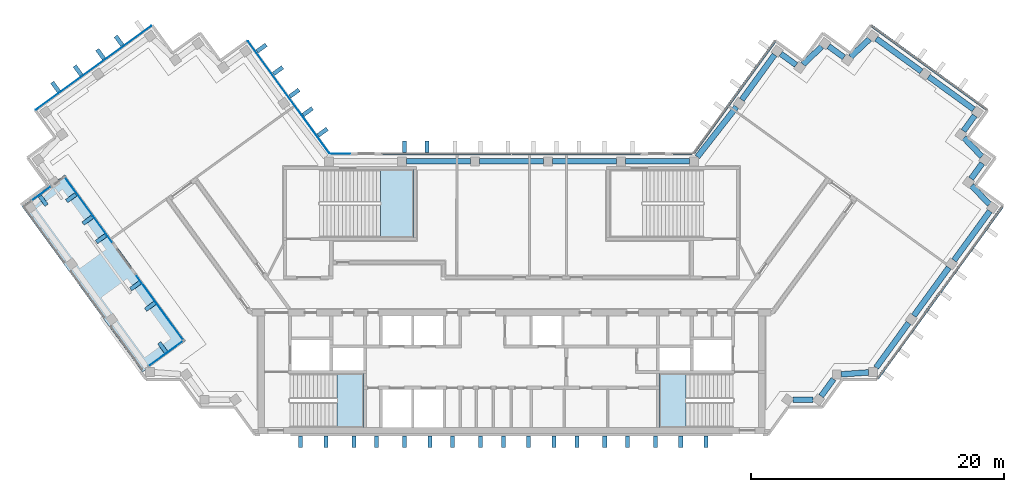
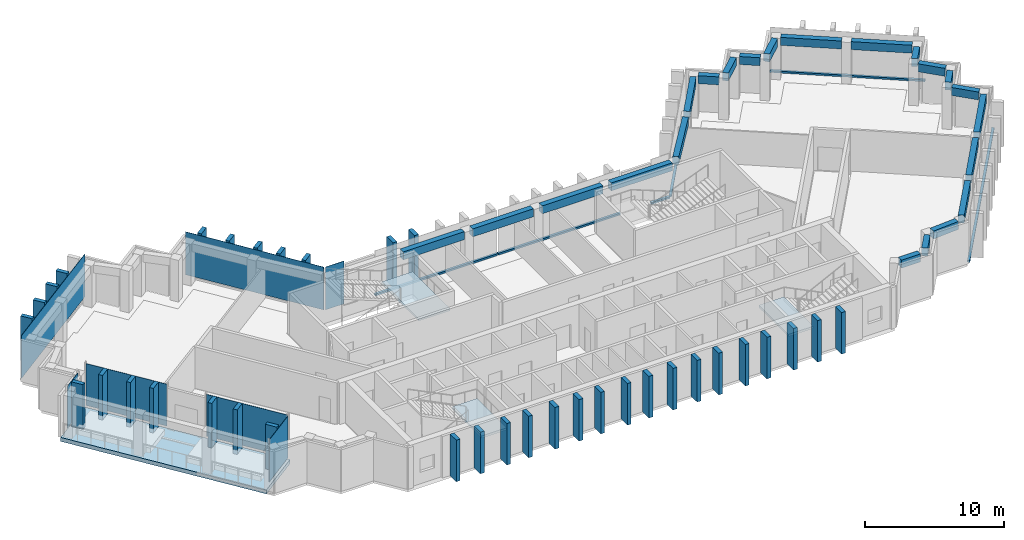
"""IFC4 building model written with IfcOpenShell, lengths in metres."""

from ifc_helpers import new_model, si_unit, direction, frame, origin, origin_2d, place, context, subcontext, project, spatial, polyline, rectangle, outline, extrude, material, layer, layer_set, material_profile, profile_set, type_object, element, aggregate, save


model = new_model("IFC4")

# Units and contexts
model_context = context("Model", 3, precision=1e-05, world=origin(), true_north=direction((0.0, 1.0)))
body_context = subcontext(model_context, "Body", "Model", "MODEL_VIEW")
ifc_project = project(units=[si_unit("LENGTHUNIT", "METRE"), si_unit("AREAUNIT", "SQUARE_METRE"), si_unit("VOLUMEUNIT", "CUBIC_METRE"), si_unit("PLANEANGLEUNIT", "RADIAN"), si_unit("MASSUNIT", "GRAM", prefix="KILO")], contexts=[model_context])

# Site, building, storey
site_placement = place(None, origin())
site = spatial("IfcSite", under=ifc_project, at=site_placement, CompositionType="ELEMENT")
building_placement = place(site_placement, origin())
building = spatial("IfcBuilding", under=site, at=building_placement, Name="Quipu Civic Tower", CompositionType="ELEMENT")
storey_1_placement = place(building_placement, frame((0.0, 0.0, 261.0)))
storey_1 = spatial("IfcBuildingStorey", under=building, at=storey_1_placement, Name="L61", CompositionType="ELEMENT", Elevation=261.0)

# Beams
ifc_material_1 = material(Name="Concrete C50/60", Category="concrete")
ifc_material_profile_1 = material_profile(ifc_material_1, rectangle(XDim=0.449951171875, YDim=0.699951171875, at=origin_2d()), Name="RC450x700")
ifc_profile_set_1 = profile_set([ifc_material_profile_1], Name="Concrete C50/60")
beam_type = type_object("IfcBeamType", Name="Spandrel beam RC 450x700 C50/60", PredefinedType="SPANDREL", material=ifc_profile_set_1)
beam_1_placement = place(storey_1_placement, frame((22.224365234375, -8.31494140625, 3.300048828125), z_axis=(1.0, 0.0, 0.0), x_axis=(0.0, 1.0, 0.0)))
element("IfcBeam", 1, at=beam_1_placement, inside=storey_1, type_object=beam_type, Name="Spandrel beam L61 J-Eo.1 to J-Eo.2", PredefinedType="SPANDREL", context=body_context, shape_type="SweptSolid", body=[
    extrude(rectangle(XDim=0.449951171875, YDim=0.699951171875, at=origin_2d()), origin(), (0.0, 0.0, 1.0), 1.578125),
])
beam_2_placement = place(storey_1_placement, frame((24.44091796875, -8.031982421875, 3.300048828125), z_axis=(0.588407300614, 0.80856468423, 0.0), x_axis=(-0.80856468423, 0.588407300614, 0.0)))
element("IfcBeam", 2, at=beam_2_placement, inside=storey_1, type_object=beam_type, Name="Spandrel beam L61 J-Eo.2 to J-Eo.3", PredefinedType="SPANDREL", context=body_context, shape_type="SweptSolid", body=[
    extrude(rectangle(XDim=0.449951171875, YDim=0.699951171875, at=origin_2d()), origin(), (0.0, 0.0, 1.0), 1.663330078125),
])
beam_3_placement = place(storey_1_placement, frame((26.0244140625, -6.3115234375, 3.300048828125), z_axis=(0.997379352029, 0.072349347934, 0.0), x_axis=(-0.072349347934, 0.997379352029, 0.0)))
element("IfcBeam", 3, at=beam_3_placement, inside=storey_1, type_object=beam_type, Name="Spandrel beam L61 J-Eo.3 to J-Eo.4", PredefinedType="SPANDREL", context=body_context, shape_type="SweptSolid", body=[
    extrude(rectangle(XDim=0.449951171875, YDim=0.699951171875, at=origin_2d()), origin(), (0.0, 0.0, 1.0), 2.15625),
])
beam_4_placement = place(storey_1_placement, frame((28.779296875, -5.780029296875, 3.300048828125), z_axis=(0.58777550284, 0.809024077677, 0.0), x_axis=(-0.809024077677, 0.58777550284, 0.0)))
element("IfcBeam", 4, at=beam_4_placement, inside=storey_1, type_object=beam_type, Name="Spandrel beam L61 J-Eo.4 to E-OUT-01", PredefinedType="SPANDREL", context=body_context, shape_type="SweptSolid", body=[
    extrude(rectangle(XDim=0.449951171875, YDim=0.699951171875, at=origin_2d()), origin(), (0.0, 0.0, 1.0), 4.36083984375),
])
beam_5_placement = place(storey_1_placement, frame((31.75390625, -1.685546875, 3.300048828125), z_axis=(0.587788656305, 0.809014521204, 0.0), x_axis=(-0.809014521204, 0.587788656305, 0.0)))
element("IfcBeam", 5, at=beam_5_placement, inside=storey_1, type_object=beam_type, Name="Spandrel beam L61 E-OUT-01 to E-OUT-02", PredefinedType="SPANDREL", context=body_context, shape_type="SweptSolid", body=[
    extrude(rectangle(XDim=0.449951171875, YDim=0.699951171875, at=origin_2d()), origin(), (0.0, 0.0, 1.0), 4.7001953125),
])
beam_6_placement = place(storey_1_placement, frame((34.927978515625, 2.68310546875, 3.300048828125), z_axis=(0.587905928359, 0.808929304328, 0.0), x_axis=(-0.808929304328, 0.587905928359, 0.0)))
element("IfcBeam", 6, at=beam_6_placement, inside=storey_1, type_object=beam_type, Name="Spandrel beam L61 E-OUT-02 to T-Eo.0-E22", PredefinedType="SPANDREL", context=body_context, shape_type="SweptSolid", body=[
    extrude(rectangle(XDim=0.449951171875, YDim=0.699951171875, at=origin_2d()), origin(), (0.0, 0.0, 1.0), 4.80712890625),
])
beam_7_placement = place(storey_1_placement, frame((37.71484375, 7.11279296875, 3.300048828125), z_axis=(-0.689175330605, 0.724594620244, 0.0), x_axis=(-0.724594620244, -0.689175330605, 0.0)))
element("IfcBeam", 7, at=beam_7_placement, inside=storey_1, type_object=beam_type, Name="Spandrel beam L61 T-Eo.0-E22 to T-Eo.1-E22", PredefinedType="SPANDREL", context=body_context, shape_type="SweptSolid", body=[
    extrude(rectangle(XDim=0.449951171875, YDim=0.699951171875, at=origin_2d()), origin(), (0.0, 0.0, 1.0), 2.033447265625),
])
beam_8_placement = place(storey_1_placement, frame((36.273681640625, 9.12744140625, 3.300048828125), z_axis=(0.587164895097, 0.809467347066, 0.0), x_axis=(-0.809467347066, 0.587164895097, 0.0)))
element("IfcBeam", 8, at=beam_8_placement, inside=storey_1, type_object=beam_type, Name="Spandrel beam L61 T-Eo.1-E22 to T-Eo.2-E22", PredefinedType="SPANDREL", context=body_context, shape_type="SweptSolid", body=[
    extrude(rectangle(XDim=0.449951171875, YDim=0.699951171875, at=origin_2d()), origin(), (0.0, 0.0, 1.0), 1.500244140625),
])
beam_9_placement = place(storey_1_placement, frame((37.114990234375, 10.88330078125, 3.300048828125), z_axis=(-0.688247466856, 0.725475998477, 0.0), x_axis=(-0.725475998477, -0.688247466856, 0.0)))
element("IfcBeam", 9, at=beam_9_placement, inside=storey_1, type_object=beam_type, Name="Spandrel beam L61 T-Eo.2-E22 to T-Eo.3-E22", PredefinedType="SPANDREL", context=body_context, shape_type="SweptSolid", body=[
    extrude(rectangle(XDim=0.449951171875, YDim=0.699951171875, at=origin_2d()), origin(), (0.0, 0.0, 1.0), 2.032958984375),
])
beam_10_placement = place(storey_1_placement, frame((35.6767578125, 12.8994140625, 3.300048828125), z_axis=(0.588345920092, 0.808609348394, 0.0), x_axis=(-0.808609348394, 0.588345920092, 0.0)))
element("IfcBeam", 10, at=beam_10_placement, inside=storey_1, type_object=beam_type, Name="Spandrel beam L61 T-Eo.3-E22 to T-Eo.4-E22", PredefinedType="SPANDREL", context=body_context, shape_type="SweptSolid", body=[
    extrude(rectangle(XDim=0.449951171875, YDim=0.699951171875, at=origin_2d()), origin(), (0.0, 0.0, 1.0), 1.499755859375),
])
beam_11_placement = place(storey_1_placement, frame((36.481689453125, 14.6005859375, 3.300048828125), z_axis=(-0.809117270763, 0.587647208921, 0.0), x_axis=(-0.587647208921, -0.809117270763, 0.0)))
element("IfcBeam", 11, at=beam_11_placement, inside=storey_1, type_object=beam_type, Name="Spandrel beam L61 T-Eo.4-E22 to TIP-E-01-E22", PredefinedType="SPANDREL", context=body_context, shape_type="SweptSolid", body=[
    extrude(rectangle(XDim=0.449951171875, YDim=0.699951171875, at=origin_2d()), origin(), (0.0, 0.0, 1.0), 4.40185546875),
])
beam_12_placement = place(storey_1_placement, frame((32.353759765625, 17.5986328125, 3.300048828125), z_axis=(-0.809146152767, 0.587607439931, 0.0), x_axis=(-0.587607439931, -0.809146152767, 0.0)))
element("IfcBeam", 12, at=beam_12_placement, inside=storey_1, type_object=beam_type, Name="Spandrel beam L61 TIP-E-01-E22 to T-Ei.0-E22", PredefinedType="SPANDREL", context=body_context, shape_type="SweptSolid", body=[
    extrude(rectangle(XDim=0.449951171875, YDim=0.699951171875, at=origin_2d()), origin(), (0.0, 0.0, 1.0), 4.400390625),
])
beam_13_placement = place(storey_1_placement, frame((28.251708984375, 20.14501953125, 3.300048828125), z_axis=(-0.725359138958, -0.688370626574, 0.0), x_axis=(0.688370626574, -0.725359138958, 0.0)))
element("IfcBeam", 13, at=beam_13_placement, inside=storey_1, type_object=beam_type, Name="Spandrel beam L61 T-Ei.0-E22 to T-Ei.1-E22", PredefinedType="SPANDREL", context=body_context, shape_type="SweptSolid", body=[
    extrude(rectangle(XDim=0.449951171875, YDim=0.699951171875, at=origin_2d()), origin(), (0.0, 0.0, 1.0), 2.032958984375),
])
beam_14_placement = place(storey_1_placement, frame((26.236083984375, 18.70654296875, 3.300048828125), z_axis=(-0.808644589435, 0.588297482553, 0.0), x_axis=(-0.588297482553, -0.808644589435, 0.0)))
element("IfcBeam", 14, at=beam_14_placement, inside=storey_1, type_object=beam_type, Name="Spandrel beam L61 T-Ei.1-E22 to T-Ei.2-E22", PredefinedType="SPANDREL", context=body_context, shape_type="SweptSolid", body=[
    extrude(rectangle(XDim=0.449951171875, YDim=0.699951171875, at=origin_2d()), origin(), (0.0, 0.0, 1.0), 1.500244140625),
])
beam_15_placement = place(storey_1_placement, frame((24.48193359375, 19.5498046875, 3.300048828125), z_axis=(-0.72511931772, -0.6886232461, 0.0), x_axis=(0.6886232461, -0.72511931772, 0.0)))
element("IfcBeam", 15, at=beam_15_placement, inside=storey_1, type_object=beam_type, Name="Spandrel beam L61 T-Ei.2-E22 to T-Ei.3-E22", PredefinedType="SPANDREL", context=body_context, shape_type="SweptSolid", body=[
    extrude(rectangle(XDim=0.449951171875, YDim=0.699951171875, at=origin_2d()), origin(), (0.0, 0.0, 1.0), 2.03369140625),
])
beam_16_placement = place(storey_1_placement, frame((22.466064453125, 18.10986328125, 3.300048828125), z_axis=(-0.809461336076, 0.587173181776, 0.0), x_axis=(-0.587173181776, -0.809461336076, 0.0)))
element("IfcBeam", 16, at=beam_16_placement, inside=storey_1, type_object=beam_type, Name="Spandrel beam L61 T-Ei.3-E22 to T-Ei.4-E22", PredefinedType="SPANDREL", context=body_context, shape_type="SweptSolid", body=[
    extrude(rectangle(XDim=0.449951171875, YDim=0.699951171875, at=origin_2d()), origin(), (0.0, 0.0, 1.0), 1.498046875),
])
beam_17_placement = place(storey_1_placement, frame((20.76416015625, 18.911865234375, 3.300048828125), z_axis=(-0.588201428764, -0.808714460857, 0.0), x_axis=(0.808714460857, -0.588201428764, 0.0)))
element("IfcBeam", 17, at=beam_17_placement, inside=storey_1, type_object=beam_type, Name="Spandrel beam L61 T-Ei.4-E22 to E-IN-01", PredefinedType="SPANDREL", context=body_context, shape_type="SweptSolid", body=[
    extrude(rectangle(XDim=0.449951171875, YDim=0.699951171875, at=origin_2d()), origin(), (0.0, 0.0, 1.0), 4.394287109375),
])
beam_18_placement = place(storey_1_placement, frame((17.7578125, 14.799072265625, 3.300048828125), z_axis=(-0.616106034519, -0.787663223865, 0.0), x_axis=(0.787663223865, -0.616106034519, 0.0)))
element("IfcBeam", 18, at=beam_18_placement, inside=storey_1, type_object=beam_type, Name="Spandrel beam L61 E-IN-01 to J-Ei.0", PredefinedType="SPANDREL", context=body_context, shape_type="SweptSolid", body=[
    extrude(rectangle(XDim=0.449951171875, YDim=0.699951171875, at=origin_2d()), origin(), (0.0, 0.0, 1.0), 5.013427734375),
])
for number, where, z_axis, x_axis, name in (
    (19, (14.045166015625, 10.5, 3.300048828125), (-1.0, 0.0, 0.0), (0.0, -1.0, 0.0), "Spandrel beam L61 J-Ei.0 to FRONT-01"),
    (20, (8.287109375, 10.5, 3.300048828125), (-1.0, 0.0, 0.0), (0.0, -1.0, 0.0), "Spandrel beam L61 FRONT-01 to FRONT-02"),
    (21, (2.529052734375, 10.5, 3.300048828125), (-1.0, 0.0, 0.0), (0.0, -1.0, 0.0), "Spandrel beam L61 FRONT-02 to FRONT-03"),
    (22, (-3.22900390625, 10.5, 3.300048828125), (-1.0, 0.0, 0.0), (0.0, -1.0, 0.0), "Spandrel beam L61 FRONT-03 to FRONT-04"),
):
    element("IfcBeam", number, at=place(storey_1_placement, frame(where, z_axis=z_axis, x_axis=x_axis)), inside=storey_1, type_object=beam_type, Name=name, PredefinedType="SPANDREL", context=body_context, shape_type="SweptSolid", body=[
        extrude(rectangle(XDim=0.449951171875, YDim=0.699951171875, at=origin_2d()), origin(), (0.0, 0.0, 1.0), 5.05810546875),
    ])

# Storey
storey_2_placement = place(building_placement, frame((0.0, 0.0, 257.0)))
storey_2 = spatial("IfcBuildingStorey", under=building, at=storey_2_placement, Name="L60", CompositionType="ELEMENT", Elevation=257.0)

# Curtain wall, members
ifc_material_2 = material(Name="Insulated glass unit", Category="glass")
curtain_wall_type = type_object("IfcCurtainWallType", Name="Office curtain wall CW1", PredefinedType="NOTDEFINED", material=ifc_material_2)
curtain_wall_1_placement = place(storey_2_placement, origin())
curtain_wall_1 = element("IfcCurtainWall", 23, at=curtain_wall_1_placement, inside=storey_2, type_object=curtain_wall_type, Name="Office curtain wall CW1 L59 run 13", PredefinedType="NOTDEFINED")
ifc_material_3 = material(Name="Anodised aluminium", Category="aluminium")
ifc_material_profile_2 = material_profile(ifc_material_3, rectangle(XDim=0.199951171875, YDim=0.159912109375, at=origin_2d()), Name="RECT 200x160")
ifc_profile_set_2 = profile_set([ifc_material_profile_2], Name="Anodised aluminium")
member_type = type_object("IfcMemberType", Name="Transom CW1", PredefinedType="USERDEFINED", material=ifc_profile_set_2)
member_1_placement = place(storey_1_placement, frame((28.876708984375, -6.66650390625, 0.080078125), z_axis=(0.587812107925, 0.808997481935, 0.0), x_axis=(-0.808997481935, 0.587812107925, 0.0)))
member_1 = element("IfcMember", 24, at=member_1_placement, inside=storey_1, type_object=member_type, Name="CW1 transom 1.3", ObjectType="TRANSOM", PredefinedType="USERDEFINED", context=body_context, shape_type="SweptSolid", body=[
    extrude(rectangle(XDim=0.199951171875, YDim=0.159912109375, at=origin_2d()), origin(), (0.0, 0.0, 1.0), 8.35791015625),
])
member_2_placement = place(storey_1_placement, frame((33.83642578125, 0.15966796875, 0.080078125), z_axis=(0.587779098815, 0.809021465102, 0.0), x_axis=(-0.809021465102, 0.587779098815, 0.0)))
member_2 = element("IfcMember", 25, at=member_2_placement, inside=storey_1, type_object=member_type, Name="CW1 transom 2.3", ObjectType="TRANSOM", PredefinedType="USERDEFINED", context=body_context, shape_type="SweptSolid", body=[
    extrude(rectangle(XDim=0.199951171875, YDim=0.159912109375, at=origin_2d()), origin(), (0.0, 0.0, 1.0), 8.35791015625),
])
aggregate(curtain_wall_1, [member_1, member_2])

# Curtain wall, member
curtain_wall_2_placement = place(storey_2_placement, origin())
curtain_wall_2 = element("IfcCurtainWall", 26, at=curtain_wall_2_placement, inside=storey_2, type_object=curtain_wall_type, Name="Office curtain wall CW1 L59 run 18", PredefinedType="NOTDEFINED")
member_3_placement = place(storey_1_placement, frame((37.536865234375, 14.575927734375, 0.080078125), z_axis=(-0.809022463805, 0.587777724194, 0.0), x_axis=(-0.587777724194, -0.809022463805, 0.0)))
member_3 = element("IfcMember", 27, at=member_3_placement, inside=storey_1, type_object=member_type, Name="CW1 transom 1.3", ObjectType="TRANSOM", PredefinedType="USERDEFINED", context=body_context, shape_type="SweptSolid", body=[
    extrude(rectangle(XDim=0.199951171875, YDim=0.159912109375, at=origin_2d()), origin(), (0.0, 0.0, 1.0), 11.240234375),
])
aggregate(curtain_wall_2, [member_3])

curtain_wall_3_placement = place(storey_2_placement, origin())
curtain_wall_3 = element("IfcCurtainWall", 28, at=curtain_wall_3_placement, inside=storey_2, type_object=curtain_wall_type, Name="Office curtain wall CW1 L59 run 23", PredefinedType="NOTDEFINED")
member_4_placement = place(storey_1_placement, frame((20.788818359375, 19.97021484375, 0.080078125), z_axis=(-0.587796859727, -0.809008560953, 0.0), x_axis=(0.809008560953, -0.587796859727, 0.0)))
member_4 = element("IfcMember", 29, at=member_4_placement, inside=storey_1, type_object=member_type, Name="CW1 transom 1.3", ObjectType="TRANSOM", PredefinedType="USERDEFINED", context=body_context, shape_type="SweptSolid", body=[
    extrude(rectangle(XDim=0.199951171875, YDim=0.159912109375, at=origin_2d()), origin(), (0.0, 0.0, 1.0), 10.88427734375),
])
aggregate(curtain_wall_3, [member_4])

curtain_wall_4_placement = place(storey_2_placement, origin())
curtain_wall_4 = element("IfcCurtainWall", 30, at=curtain_wall_4_placement, inside=storey_2, type_object=curtain_wall_type, Name="Office curtain wall CW1 L59 run 24", PredefinedType="NOTDEFINED")
member_5_placement = place(storey_1_placement, frame((14.26416015625, 11.10009765625, 0.080078125), z_axis=(-1.0, 0.0, 0.0), x_axis=(0.0, -1.0, 0.0)))
member_5 = element("IfcMember", 31, at=member_5_placement, inside=storey_1, type_object=member_type, Name="CW1 transom 1.3", ObjectType="TRANSOM", PredefinedType="USERDEFINED", context=body_context, shape_type="SweptSolid", body=[
    extrude(rectangle(XDim=0.199951171875, YDim=0.159912109375, at=origin_2d()), origin(), (0.0, 0.0, 1.0), 1.529052734375),
])
aggregate(curtain_wall_4, [member_5])

# Curtain wall, members
curtain_wall_5_placement = place(storey_2_placement, origin())
curtain_wall_5 = element("IfcCurtainWall", 32, at=curtain_wall_5_placement, inside=storey_2, type_object=curtain_wall_type, Name="Office curtain wall CW1 L59 run 26", PredefinedType="NOTDEFINED")
member_6_placement = place(storey_1_placement, frame((10.18359375, 11.10009765625, 0.080078125), z_axis=(-1.0, 0.0, 0.0), x_axis=(0.0, -1.0, 0.0)))
member_6 = element("IfcMember", 33, at=member_6_placement, inside=storey_1, type_object=member_type, Name="CW1 transom 1.3", ObjectType="TRANSOM", PredefinedType="USERDEFINED", context=body_context, shape_type="SweptSolid", body=[
    extrude(rectangle(XDim=0.199951171875, YDim=0.159912109375, at=origin_2d()), origin(), (0.0, 0.0, 1.0), 10.1435546875),
])
member_7_placement = place(storey_1_placement, frame((-0.0400390625, 11.10009765625, 0.080078125), z_axis=(-1.0, 0.0, 0.0), x_axis=(0.0, -1.0, 0.0)))
member_7 = element("IfcMember", 34, at=member_7_placement, inside=storey_1, type_object=member_type, Name="CW1 transom 2.3", ObjectType="TRANSOM", PredefinedType="USERDEFINED", context=body_context, shape_type="SweptSolid", body=[
    extrude(rectangle(XDim=0.199951171875, YDim=0.159912109375, at=origin_2d()), origin(), (0.0, 0.0, 1.0), 10.1435546875),
])
aggregate(curtain_wall_5, [member_6, member_7])

# Curtain wall, plate
curtain_wall_6_placement = place(storey_2_placement, origin())
curtain_wall_6 = element("IfcCurtainWall", 35, at=curtain_wall_6_placement, inside=storey_2, type_object=curtain_wall_type, Name="Office curtain wall CW1 L59 run 28", PredefinedType="NOTDEFINED")
ifc_material_4 = material(Name="Insulated glass unit", Category="glass")
ifc_layer_1 = layer(ifc_material_4, 0.028076171875)
ifc_layer_set_1 = layer_set([ifc_layer_1], Name="Insulated glass unit")
plate_type_1 = type_object("IfcPlateType", Name="Glass panel CW1", PredefinedType="CURTAIN_PANEL", material=ifc_layer_set_1)
plate_1_placement = place(storey_1_placement, frame((-13.49951171875, 11.10009765625, 0.16015625), z_axis=(0.0, 0.0, 1.0), x_axis=(-1.0, 0.0, 0.0)))
plate_1 = element("IfcPlate", 36, at=plate_1_placement, inside=storey_1, type_object=plate_type_1, Name="CW1 panel 1.3", PredefinedType="CURTAIN_PANEL", context=body_context, shape_type="SweptSolid", body=[
    extrude(rectangle(XDim=1.529296875, YDim=0.028076171875, at=origin_2d()), origin(), (0.0, 0.0, 1.0), 3.760009765625),
])
aggregate(curtain_wall_6, [plate_1])

curtain_wall_7_placement = place(storey_2_placement, origin())
curtain_wall_7 = element("IfcCurtainWall", 37, at=curtain_wall_7_placement, inside=storey_2, type_object=curtain_wall_type, Name="Office curtain wall CW1 L59 run 29", PredefinedType="NOTDEFINED")
plate_2_placement = place(storey_1_placement, frame((-17.590087890625, 15.5673828125, 0.16015625), z_axis=(0.0, 0.0, 1.0), x_axis=(-0.587787771652, 0.809015163947, 0.0)))
plate_2 = element("IfcPlate", 38, at=plate_2_placement, inside=storey_1, type_object=plate_type_1, Name="CW1 panel 1.3", PredefinedType="CURTAIN_PANEL", context=body_context, shape_type="SweptSolid", body=[
    extrude(rectangle(XDim=10.88427734375, YDim=0.028076171875, at=origin_2d()), origin(), (0.0, 0.0, 1.0), 3.760009765625),
])
aggregate(curtain_wall_7, [plate_2])

curtain_wall_8_placement = place(storey_2_placement, origin())
curtain_wall_8 = element("IfcCurtainWall", 39, at=curtain_wall_8_placement, inside=storey_2, type_object=curtain_wall_type, Name="Office curtain wall CW1 L59 run 34", PredefinedType="NOTDEFINED")
plate_3_placement = place(storey_1_placement, frame((-32.989990234375, 17.87939453125, 0.16015625), z_axis=(0.0, 0.0, 1.0), x_axis=(-0.809015176832, -0.587787753918, 0.0)))
plate_3 = element("IfcPlate", 40, at=plate_3_placement, inside=storey_1, type_object=plate_type_1, Name="CW1 panel 1.3", PredefinedType="CURTAIN_PANEL", context=body_context, shape_type="SweptSolid", body=[
    extrude(rectangle(XDim=11.239990234375, YDim=0.028076171875, at=origin_2d()), origin(), (0.0, 0.0, 1.0), 3.760009765625),
])
aggregate(curtain_wall_8, [plate_3])

curtain_wall_9_placement = place(storey_1_placement, origin())
curtain_wall_9 = element("IfcCurtainWall", 41, at=curtain_wall_9_placement, inside=storey_1, type_object=curtain_wall_type, Name="Office curtain wall CW1 L61 run 1", PredefinedType="NOTDEFINED")
plate_4_placement = place(storey_1_placement, frame((-37.1015625, 7.969970703125, 0.240234375), z_axis=(0.0, 0.0, 1.0), x_axis=(0.809017113705, 0.587785088049, 0.0)))
plate_4 = element("IfcPlate", 42, at=plate_4_placement, type_object=plate_type_1, Name="CW1 panel 1.1", PredefinedType="CURTAIN_PANEL", context=body_context, shape_type="SweptSolid", body=[
    extrude(rectangle(XDim=1.839599609375, YDim=0.028076171875, at=origin_2d()), origin(), (0.0, 0.0, 1.0), 3.679931640625),
])
aggregate(curtain_wall_9, [plate_4])

curtain_wall_10_placement = place(storey_1_placement, origin())
curtain_wall_10 = element("IfcCurtainWall", 43, at=curtain_wall_10_placement, inside=storey_1, type_object=curtain_wall_type, Name="Office curtain wall CW1 L61 run 3", PredefinedType="NOTDEFINED")
plate_5_placement = place(storey_1_placement, frame((-33.364990234375, 6.65625, 0.240234375), z_axis=(0.0, 0.0, 1.0), x_axis=(0.58778578689, -0.809016605967, 0.0)))
plate_5 = element("IfcPlate", 44, at=plate_5_placement, type_object=plate_type_1, Name="CW1 panel 1.1", PredefinedType="CURTAIN_PANEL", context=body_context, shape_type="SweptSolid", body=[
    extrude(rectangle(XDim=6.358642578125, YDim=0.028076171875, at=origin_2d()), origin(), (0.0, 0.0, 1.0), 3.679931640625),
])
aggregate(curtain_wall_10, [plate_5])

curtain_wall_11_placement = place(storey_1_placement, origin())
curtain_wall_11 = element("IfcCurtainWall", 45, at=curtain_wall_11_placement, inside=storey_1, type_object=curtain_wall_type, Name="Office curtain wall CW1 L61 run 5", PredefinedType="NOTDEFINED")
plate_6_placement = place(storey_1_placement, frame((-27.791748046875, -1.014404296875, 0.240234375), z_axis=(0.0, 0.0, 1.0), x_axis=(0.58779308198, -0.809011305716, 0.0)))
plate_6 = element("IfcPlate", 46, at=plate_6_placement, type_object=plate_type_1, Name="CW1 panel 1.1", PredefinedType="CURTAIN_PANEL", context=body_context, shape_type="SweptSolid", body=[
    extrude(rectangle(XDim=6.3583984375, YDim=0.028076171875, at=origin_2d()), origin(), (0.0, 0.0, 1.0), 3.679931640625),
])
aggregate(curtain_wall_11, [plate_6])

curtain_wall_12_placement = place(storey_1_placement, origin())
curtain_wall_12 = element("IfcCurtainWall", 47, at=curtain_wall_12_placement, inside=storey_1, type_object=curtain_wall_type, Name="Office curtain wall CW1 L61 run 6", PredefinedType="NOTDEFINED")
plate_7_placement = place(storey_1_placement, frame((-27.285400390625, -4.675048828125, 0.240234375), z_axis=(0.0, 0.0, 1.0), x_axis=(-0.809017734628, -0.58778423342, 0.0)))
plate_7 = element("IfcPlate", 48, at=plate_7_placement, type_object=plate_type_1, Name="CW1 panel 1.1", PredefinedType="CURTAIN_PANEL", context=body_context, shape_type="SweptSolid", body=[
    extrude(rectangle(XDim=3.32421875, YDim=0.028076171875, at=origin_2d()), origin(), (0.0, 0.0, 1.0), 3.679931640625),
])
aggregate(curtain_wall_12, [plate_7])

# Plates
ifc_material_5 = material(Name="Precast concrete C40/50", Category="concrete")
plate_type_2 = type_object("IfcPlateType", Name="Precast fin F3", PredefinedType="SHEET", material=ifc_material_5)
for number, where, z_axis, x_axis, name in (
    (49, (-16.639892578125, -11.637939453125, 0.0), (0.0, 0.0, 1.0), (1.0, 0.0, 0.0), "Precast fin F3 L61.P04.1"),
    (50, (-14.639892578125, -11.637939453125, 0.0), (0.0, 0.0, 1.0), (1.0, 0.0, 0.0), "Precast fin F3 L61.P04.2"),
    (51, (-12.43994140625, -11.637939453125, 0.0), (0.0, 0.0, 1.0), (1.0, 0.0, 0.0), "Precast fin F3 L61.P04.3"),
    (52, (-10.639892578125, -11.637939453125, 0.0), (0.0, 0.0, 1.0), (1.0, 0.0, 0.0), "Precast fin F3 L61.P04.4"),
    (53, (-8.43994140625, -11.637939453125, 0.0), (0.0, 0.0, 1.0), (1.0, 0.0, 0.0), "Precast fin F3 L61.P04.5"),
    (54, (-6.43994140625, -11.637939453125, 0.0), (0.0, 0.0, 1.0), (1.0, 0.0, 0.0), "Precast fin F3 L61.P04.6"),
    (55, (-4.639892578125, -11.637939453125, 0.0), (0.0, 0.0, 1.0), (1.0, 0.0, 0.0), "Precast fin F3 L61.P04.7"),
    (56, (-2.43994140625, -11.637939453125, 0.0), (0.0, 0.0, 1.0), (1.0, 0.0, 0.0), "Precast fin F3 L61.P04.8"),
    (57, (-0.639892578125, -11.637939453125, 0.0), (0.0, 0.0, 1.0), (1.0, 0.0, 0.0), "Precast fin F3 L61.P04.9"),
    (58, (1.360107421875, -11.637939453125, 0.0), (0.0, 0.0, 1.0), (1.0, 0.0, 0.0), "Precast fin F3 L61.P04.10"),
    (59, (3.360107421875, -11.637939453125, 0.0), (0.0, 0.0, 1.0), (1.0, 0.0, 0.0), "Precast fin F3 L61.P04.11"),
    (60, (5.159912109375, -11.637939453125, 0.0), (0.0, 0.0, 1.0), (1.0, 0.0, 0.0), "Precast fin F3 L61.P04.12"),
    (61, (7.360107421875, -11.637939453125, 0.0), (0.0, 0.0, 1.0), (1.0, 0.0, 0.0), "Precast fin F3 L61.P04.13"),
    (62, (9.159912109375, -11.637939453125, 0.0), (0.0, 0.0, 1.0), (1.0, 0.0, 0.0), "Precast fin F3 L61.P04.14"),
    (63, (11.360107421875, -11.637939453125, 0.0), (0.0, 0.0, 1.0), (1.0, 0.0, 0.0), "Precast fin F3 L61.P04.15"),
    (64, (13.360107421875, -11.637939453125, 0.0), (0.0, 0.0, 1.0), (1.0, 0.0, 0.0), "Precast fin F3 L61.P04.16"),
    (65, (15.360107421875, -11.637939453125, 0.0), (0.0, 0.0, 1.0), (1.0, 0.0, 0.0), "Precast fin F3 L61.P04.17"),
):
    element("IfcPlate", number, at=place(storey_1_placement, frame(where, z_axis=z_axis, x_axis=x_axis)), inside=storey_1, type_object=plate_type_2, Name=name, PredefinedType="SHEET", context=body_context, shape_type="SweptSolid", body=[
        extrude(rectangle(XDim=0.320068359375, YDim=0.89990234375, at=origin_2d()), origin(), (0.0, 0.0, 1.0), 3.64990234375),
    ])
for number, where, z_axis, x_axis, name in (
    (66, (-6.659912109375, 11.64990234375, 0.080078125), (0.0, 0.0, 1.0), (-1.0, 0.0, 0.0), "Precast fin F3 L61.P23.9"),
    (67, (-8.4599609375, 11.64990234375, 0.080078125), (0.0, 0.0, 1.0), (-1.0, 0.0, 0.0), "Precast fin F3 L61.P23.10"),
    (68, (-14.90380859375, 12.805908203125, 0.080078125), (0.0, 0.0, 1.0), (-0.58778443384, 0.809017589015, 0.0), "Precast fin F3 L61.P26.1"),
    (69, (-16.079345703125, 14.424072265625, 0.080078125), (0.0, 0.0, 1.0), (-0.58778443384, 0.809017589015, 0.0), "Precast fin F3 L61.P26.2"),
    (70, (-17.137451171875, 15.880126953125, 0.080078125), (0.0, 0.0, 1.0), (-0.58778443384, 0.809017589015, 0.0), "Precast fin F3 L61.P26.3"),
    (71, (-18.4306640625, 17.66015625, 0.080078125), (0.0, 0.0, 1.0), (-0.58778443384, 0.809017589015, 0.0), "Precast fin F3 L61.P26.4"),
    (72, (-19.7236328125, 19.43994140625, 0.080078125), (0.0, 0.0, 1.0), (-0.58778443384, 0.809017589015, 0.0), "Precast fin F3 L61.P26.5"),
    (73, (-30.975341796875, 20.02294921875, 0.080078125), (0.0, 0.0, 1.0), (-0.809017072762, -0.587785144401, 0.0), "Precast fin F3 L61.P31.2"),
    (74, (-32.431640625, 18.96484375, 0.080078125), (0.0, 0.0, 1.0), (-0.809017072762, -0.587785144401, 0.0), "Precast fin F3 L61.P31.3"),
    (75, (-34.21142578125, 17.671875, 0.080078125), (0.0, 0.0, 1.0), (-0.809017072762, -0.587785144401, 0.0), "Precast fin F3 L61.P31.4"),
    (76, (-35.9912109375, 16.378662109375, 0.080078125), (0.0, 0.0, 1.0), (-0.809017072762, -0.587785144401, 0.0), "Precast fin F3 L61.P31.5"),
    (77, (-36.95556640625, 7.396240234375, 0.080078125), (0.0, 0.0, 1.0), (0.809010903145, 0.587793636059, 0.0), "Precast fin F3 L61.1.1"),
    (78, (-34.75, 7.626708984375, 0.080078125), (0.0, 0.0, 1.0), (0.587790651094, -0.809013071889, 0.0), "Precast fin F3 L61.3.1"),
    (79, (-33.456787109375, 5.846923828125, 0.080078125), (0.0, 0.0, 1.0), (0.587790651094, -0.809013071889, 0.0), "Precast fin F3 L61.3.2"),
    (80, (-32.398681640625, 4.390625, 0.080078125), (0.0, 0.0, 1.0), (0.587790651094, -0.809013071889, 0.0), "Precast fin F3 L61.3.3"),
    (81, (-29.69482421875, 0.669189453125, 0.080078125), (0.0, 0.0, 1.0), (0.587790651094, -0.809013071889, 0.0), "Precast fin F3 L61.5.1"),
    (82, (-28.519287109375, -0.94873046875, 0.080078125), (0.0, 0.0, 1.0), (0.587790651094, -0.809013071889, 0.0), "Precast fin F3 L61.5.2"),
    (83, (-27.542236328125, -4.181884765625, 0.080078125), (0.0, 0.0, 1.0), (-0.809019129244, -0.587782313886, 0.0), "Precast fin F3 L61.6.1"),
):
    element("IfcPlate", number, at=place(storey_1_placement, frame(where, z_axis=z_axis, x_axis=x_axis)), inside=storey_1, type_object=plate_type_2, Name=name, PredefinedType="SHEET", context=body_context, shape_type="SweptSolid", body=[
        extrude(rectangle(XDim=0.320068359375, YDim=0.89990234375, at=origin_2d()), origin(), (0.0, 0.0, 1.0), 3.919921875),
    ])

# Stair, slab
ifc_material_6 = material(Name="Concrete C40/50", Category="concrete")
stair_type_1 = type_object("IfcStairType", Name="Half turn stair 2000", PredefinedType="HALF_TURN_STAIR", material=ifc_material_6)
stair_1_placement = place(storey_1_placement, origin())
stair_1 = element("IfcStair", 84, at=stair_1_placement, inside=storey_1, type_object=stair_type_1, Name="Exit stair 1", PredefinedType="HALF_TURN_STAIR")
ifc_material_7 = material(Name="Concrete C40/50", Category="concrete")
ifc_layer_2 = layer(ifc_material_7, 0.199951171875)
ifc_layer_set_2 = layer_set([ifc_layer_2], Name="Concrete C40/50")
slab_type_1 = type_object("IfcSlabType", Name="Stair landing 200", PredefinedType="LANDING", material=ifc_layer_set_2)
slab_1_placement = place(storey_1_placement, frame((0.0, 0.0, 1.800048828125)))
slab_1 = element("IfcSlab", 85, at=slab_1_placement, type_object=slab_type_1, Name="ST-1 landing 1", PredefinedType="LANDING", context=body_context, shape_type="SweptSolid", body=[
    extrude(outline(polyline([(-13.780029296875, -10.5), (-11.699951171875, -10.5), (-11.699951171875, -6.25), (-13.780029296875, -6.25), (-13.780029296875, -10.5)])), origin(), (0.0, 0.0, 1.0), 0.199951171875),
])
aggregate(stair_1, [slab_1])

stair_2_placement = place(storey_1_placement, origin())
stair_2 = element("IfcStair", 86, at=stair_2_placement, inside=storey_1, type_object=stair_type_1, Name="Exit stair 2", PredefinedType="HALF_TURN_STAIR")
slab_2_placement = place(storey_1_placement, frame((0.0, 0.0, 1.800048828125)))
slab_2 = element("IfcSlab", 87, at=slab_2_placement, type_object=slab_type_1, Name="ST-2 landing 1", PredefinedType="LANDING", context=body_context, shape_type="SweptSolid", body=[
    extrude(outline(polyline([(13.780029296875, -6.25), (11.699951171875, -6.25), (11.699951171875, -10.5), (13.780029296875, -10.5), (13.780029296875, -6.25)])), origin(), (0.0, 0.0, 1.0), 0.199951171875),
])
aggregate(stair_2, [slab_2])

ifc_material_8 = material(Name="Concrete C40/50", Category="concrete")
stair_type_2 = type_object("IfcStairType", Name="Half turn stair 2600", PredefinedType="HALF_TURN_STAIR", material=ifc_material_8)
stair_3_placement = place(storey_1_placement, origin())
stair_3 = element("IfcStair", 88, at=stair_3_placement, inside=storey_1, type_object=stair_type_2, Name="Exit stair 3", PredefinedType="HALF_TURN_STAIR")
slab_3_placement = place(storey_1_placement, frame((0.0, 0.0, 1.800048828125)))
slab_3 = element("IfcSlab", 89, at=slab_3_placement, type_object=slab_type_1, Name="ST-3 landing 1", PredefinedType="LANDING", context=body_context, shape_type="SweptSolid", body=[
    extrude(outline(polyline([(-10.35009765625, 4.5), (-7.75, 4.5), (-7.75, 9.85009765625), (-10.35009765625, 9.85009765625), (-10.35009765625, 4.5)])), origin(), (0.0, 0.0, 1.0), 0.199951171875),
])
aggregate(stair_3, [slab_3])

# Slab
ifc_material_9 = material(Name="Concrete C40/50", Category="concrete")
ifc_layer_3 = layer(ifc_material_9, 0.35009765625)
ifc_layer_set_3 = layer_set([ifc_layer_3], Name="Concrete C40/50")
slab_type_2 = type_object("IfcSlabType", Name="Terrace slab 350 C40/50", PredefinedType="FLOOR", material=ifc_layer_set_3)
slab_4_placement = place(storey_1_placement, frame((0.0, 0.0, -0.35009765625)))
element("IfcSlab", 90, at=slab_4_placement, inside=storey_1, type_object=slab_type_2, Name="Terrace slab L61", PredefinedType="FLOOR", context=body_context, shape_type="SweptSolid", body=[
    extrude(outline(polyline([(-35.260009765625, 9.43505859375), (-25.735107421875, -3.675048828125), (-29.135009765625, -6.139892578125), (-38.655029296875, 6.965087890625), (-35.260009765625, 9.43505859375)])), origin(), (0.0, 0.0, 1.0), 0.35009765625),
])

save(model, "model.ifc")
